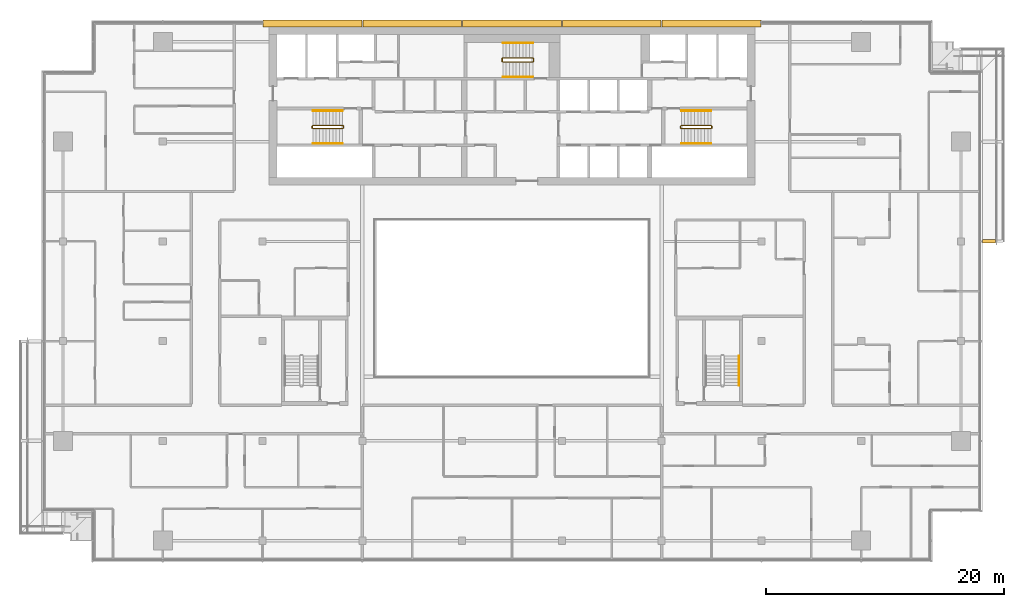
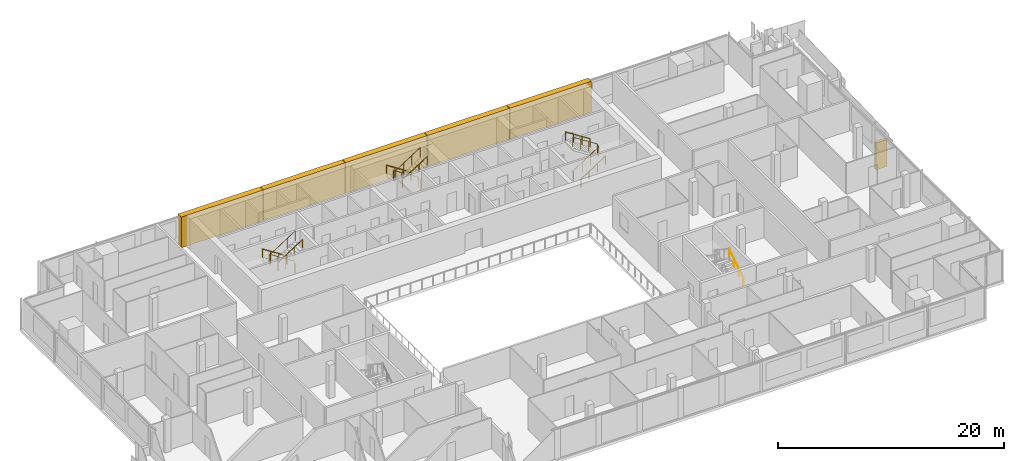
# One storey, part 27 of 30: 10 railings, 6 coverings.
"""IFC4 building model written with IfcOpenShell, lengths in metres."""

from ifc_helpers import new_model, si_unit, direction, frame, origin, origin_2d, place, context, subcontext, project, spatial, polyline, rectangle, circle, outline, extrude, material, layer, layer_set, type_object, element, save


model = new_model("IFC4")

# Units and contexts
model_context = context("Model", 3, precision=1e-05, world=origin(), true_north=direction((0.0, 1.0)))
body_context = subcontext(model_context, "Body", "Model", "MODEL_VIEW")
ifc_project = project(units=[si_unit("LENGTHUNIT", "METRE"), si_unit("AREAUNIT", "SQUARE_METRE"), si_unit("VOLUMEUNIT", "CUBIC_METRE"), si_unit("PLANEANGLEUNIT", "RADIAN"), si_unit("MASSUNIT", "GRAM", prefix="KILO")], contexts=[model_context])

# Site, building, storey
site_placement = place(None, origin())
site = spatial("IfcSite", under=ifc_project, at=site_placement, CompositionType="ELEMENT")
building_placement = place(site_placement, origin())
building = spatial("IfcBuilding", under=site, at=building_placement, Name="Saffron Gate Tower", CompositionType="ELEMENT")
storey_placement = place(building_placement, frame((0.0, 0.0, 245.10009765625)))
storey = spatial("IfcBuildingStorey", under=building, at=storey_placement, Name="L60", CompositionType="ELEMENT", Elevation=245.10009765625)

# Coverings
ifc_material_1 = material(Name="Ceramic-printed bronze insulated panel")
ifc_layer_1 = layer(ifc_material_1, 0.590087890625)
ifc_layer_set_1 = layer_set([ifc_layer_1], Name="CLD4 ceramic-printed cladding panel 590")
covering_type_1 = type_object("IfcCoveringType", Name="CLD4 ceramic-printed cladding panel 590", PredefinedType="CLADDING", material=ifc_layer_set_1)
covering_1_placement = place(storey_placement, origin())
element("IfcCovering", 1, at=covering_1_placement, inside=storey, type_object=covering_type_1, Name="CLADDING ceramic-printed panel", PredefinedType="CLADDING", context=body_context, shape_type="SweptSolid", body=[
    extrude(outline(polyline([(108.56494140625, 75.639892578125), (100.235107421875, 75.639892578125), (100.235107421875, 75.050048828125), (108.56494140625, 75.050048828125), (108.56494140625, 75.639892578125)])), origin(), (0.0, 0.0, 1.0), 3.31982421875),
])
covering_2_placement = place(storey_placement, origin())
element("IfcCovering", 2, at=covering_2_placement, inside=storey, type_object=covering_type_1, Name="CLADDING ceramic-printed panel", PredefinedType="CLADDING", context=body_context, shape_type="SweptSolid", body=[
    extrude(outline(polyline([(100.1650390625, 75.639892578125), (91.8349609375, 75.639892578125), (91.8349609375, 75.050048828125), (100.1650390625, 75.050048828125), (100.1650390625, 75.639892578125)])), origin(), (0.0, 0.0, 1.0), 3.31982421875),
])
covering_3_placement = place(storey_placement, origin())
element("IfcCovering", 3, at=covering_3_placement, inside=storey, type_object=covering_type_1, Name="CLADDING ceramic-printed panel", PredefinedType="CLADDING", context=body_context, shape_type="SweptSolid", body=[
    extrude(outline(polyline([(91.764892578125, 75.639892578125), (83.43505859375, 75.639892578125), (83.43505859375, 75.050048828125), (91.764892578125, 75.050048828125), (91.764892578125, 75.639892578125)])), origin(), (0.0, 0.0, 1.0), 3.31982421875),
])
covering_4_placement = place(storey_placement, origin())
element("IfcCovering", 4, at=covering_4_placement, inside=storey, type_object=covering_type_1, Name="CLADDING ceramic-printed panel", PredefinedType="CLADDING", context=body_context, shape_type="SweptSolid", body=[
    extrude(outline(polyline([(83.364990234375, 75.639892578125), (75.034912109375, 75.639892578125), (75.034912109375, 75.050048828125), (83.364990234375, 75.050048828125), (83.364990234375, 75.639892578125)])), origin(), (0.0, 0.0, 1.0), 3.31982421875),
])
covering_5_placement = place(storey_placement, origin())
element("IfcCovering", 5, at=covering_5_placement, inside=storey, type_object=covering_type_1, Name="CLADDING ceramic-printed panel", PredefinedType="CLADDING", context=body_context, shape_type="SweptSolid", body=[
    extrude(outline(polyline([(74.965087890625, 75.639892578125), (66.635009765625, 75.639892578125), (66.635009765625, 75.050048828125), (74.965087890625, 75.050048828125), (74.965087890625, 75.639892578125)])), origin(), (0.0, 0.0, 1.0), 3.31982421875),
])

# Railings
ifc_material_2 = material(Name="Stainless steel and laminated glass", Category="steel")
railing_type_1 = type_object("IfcRailingType", Name="CR1 Stair guard 1100", PredefinedType="GUARDRAIL", material=ifc_material_2)
railing_1_placement = place(storey_placement, frame((73.39990234375, 66.550048828125, 0.0)))
element("IfcRailing", 6, at=railing_1_placement, inside=storey, type_object=railing_type_1, Name="L60 ST-A stair guard 1", PredefinedType="GUARDRAIL", context=body_context, shape_type="SweptSolid", body=[
    extrude(circle(Radius=0.02392578125, at=origin_2d()), frame((0.0, 0.0, 1.076171875), z_axis=(0.0, 1.0, 0.0), x_axis=(-1.0, 0.0, 0.0)), (0.0, 0.0, 1.0), 0.14990234375),
    extrude(circle(Radius=0.02392578125, at=origin_2d()), frame((0.0, 0.14990234375, 1.076171875), z_axis=(-0.257669022063, 0.258932105505, 0.930892496375), x_axis=(-0.708833529934, -0.705375805398, 0.0)), (0.0, 0.0, 1.0), 0.193359375),
    extrude(circle(Radius=0.02392578125, at=origin_2d()), frame((-0.0498046875, 0.199951171875, 1.255859375), z_axis=(-0.841199657755, 0.0, 0.540724639528), x_axis=(0.0, -1.0, 0.0)), (0.0, 0.0, 1.0), 2.995849609375),
    extrude(circle(Radius=0.02392578125, at=origin_2d()), frame((-2.56982421875, 0.199951171875, 2.8759765625), z_axis=(-0.707106781187, -0.707106781187, 0.0), x_axis=(0.707106781187, -0.707106781187, 0.0)), (0.0, 0.0, 1.0), 0.07080078125),
    extrude(circle(Radius=0.02392578125, at=origin_2d()), frame((-2.619873046875, 0.14990234375, 2.8759765625), z_axis=(0.0, -1.0, 0.0), x_axis=(1.0, 0.0, 0.0)), (0.0, 0.0, 1.0), 0.14990234375),
    extrude(circle(Radius=0.02392578125, at=origin_2d()), frame((-2.619873046875, 0.0, 2.8759765625), z_axis=(0.258543844998, -0.258543844998, 0.930757841991), x_axis=(0.707106781187, 0.707106781187, 0.0)), (0.0, 0.0, 1.0), 0.193603515625),
    extrude(circle(Radius=0.02392578125, at=origin_2d()), frame((-2.56982421875, -0.050048828125, 3.05615234375), z_axis=(0.841199657755, 0.0, 0.540724639528), x_axis=(0.0, 1.0, 0.0)), (0.0, 0.0, 1.0), 2.995849609375),
    extrude(circle(Radius=0.02099609375, at=origin_2d()), origin(), (0.0, 0.0, 1.0), 1.052001953125),
    extrude(circle(Radius=0.02099609375, at=origin_2d()), frame((0.0, 0.14990234375, 0.0)), (0.0, 0.0, 1.0), 1.052001953125),
    extrude(circle(Radius=0.02099609375, at=origin_2d()), frame((-0.0498046875, 0.199951171875, 0.179931640625)), (0.0, 0.0, 1.0), 1.052001953125),
    extrude(circle(Radius=0.02099609375, at=origin_2d()), frame((-0.889892578125, 0.199951171875, 0.719970703125)), (0.0, 0.0, 1.0), 1.052001953125),
    extrude(circle(Radius=0.02099609375, at=origin_2d()), frame((-1.729736328125, 0.199951171875, 1.259765625)), (0.0, 0.0, 1.0), 1.052001953125),
    extrude(circle(Radius=0.02099609375, at=origin_2d()), frame((-2.56982421875, 0.199951171875, 1.7998046875)), (0.0, 0.0, 1.0), 1.052001953125),
    extrude(circle(Radius=0.02099609375, at=origin_2d()), frame((-2.619873046875, 0.14990234375, 1.7998046875)), (0.0, 0.0, 1.0), 1.052001953125),
    extrude(circle(Radius=0.02099609375, at=origin_2d()), frame((-2.619873046875, 0.0, 1.7998046875)), (0.0, 0.0, 1.0), 1.052001953125),
    extrude(circle(Radius=0.02099609375, at=origin_2d()), frame((-2.56982421875, -0.050048828125, 1.97998046875)), (0.0, 0.0, 1.0), 1.052001953125),
    extrude(circle(Radius=0.02099609375, at=origin_2d()), frame((-1.729736328125, -0.050048828125, 2.52001953125)), (0.0, 0.0, 1.0), 1.052001953125),
    extrude(circle(Radius=0.02099609375, at=origin_2d()), frame((-0.889892578125, -0.050048828125, 3.059814453125)), (0.0, 0.0, 1.0), 1.052001953125),
    extrude(circle(Radius=0.02099609375, at=origin_2d()), frame((-0.0498046875, -0.050048828125, 3.599853515625)), (0.0, 0.0, 1.0), 1.052001953125),
])
railing_2_placement = place(storey_placement, frame((101.800048828125, 66.699951171875, 0.0)))
element("IfcRailing", 7, at=railing_2_placement, inside=storey, type_object=railing_type_1, Name="L60 ST-B stair guard 1", PredefinedType="GUARDRAIL", context=body_context, shape_type="SweptSolid", body=[
    extrude(circle(Radius=0.02392578125, at=origin_2d()), frame((0.0, 0.0, 1.076171875), z_axis=(0.0, -1.0, 0.0), x_axis=(1.0, 0.0, 0.0)), (0.0, 0.0, 1.0), 0.14990234375),
    extrude(circle(Radius=0.02392578125, at=origin_2d()), frame((0.0, -0.14990234375, 1.076171875), z_axis=(0.258847668887, -0.258847668887, 0.930588936439), x_axis=(0.707106781187, 0.707106781187, 0.0)), (0.0, 0.0, 1.0), 0.193359375),
    extrude(circle(Radius=0.02392578125, at=origin_2d()), frame((0.050048828125, -0.199951171875, 1.255859375), z_axis=(0.841199657755, 0.0, 0.540724639528), x_axis=(0.0, 1.0, 0.0)), (0.0, 0.0, 1.0), 2.995849609375),
    extrude(circle(Radius=0.02392578125, at=origin_2d()), frame((2.570068359375, -0.199951171875, 2.8759765625), z_axis=(0.705375805398, 0.708833529934, 0.0), x_axis=(-0.708833529934, 0.705375805398, 0.0)), (0.0, 0.0, 1.0), 0.070556640625),
    extrude(circle(Radius=0.02392578125, at=origin_2d()), frame((2.619873046875, -0.14990234375, 2.8759765625), z_axis=(0.0, 1.0, 0.0), x_axis=(-1.0, 0.0, 0.0)), (0.0, 0.0, 1.0), 0.14990234375),
    extrude(circle(Radius=0.02392578125, at=origin_2d()), frame((2.619873046875, 0.0, 2.8759765625), z_axis=(-0.257366384619, 0.258627984543, 0.931060744355), x_axis=(-0.708833529934, -0.705375805398, 0.0)), (0.0, 0.0, 1.0), 0.193603515625),
    extrude(circle(Radius=0.02392578125, at=origin_2d()), frame((2.570068359375, 0.050048828125, 3.05615234375), z_axis=(-0.841199657755, 0.0, 0.540724639528), x_axis=(0.0, -1.0, 0.0)), (0.0, 0.0, 1.0), 2.995849609375),
    extrude(circle(Radius=0.02099609375, at=origin_2d()), origin(), (0.0, 0.0, 1.0), 1.052001953125),
    extrude(circle(Radius=0.02099609375, at=origin_2d()), frame((0.0, -0.14990234375, 0.0)), (0.0, 0.0, 1.0), 1.052001953125),
    extrude(circle(Radius=0.02099609375, at=origin_2d()), frame((0.050048828125, -0.199951171875, 0.179931640625)), (0.0, 0.0, 1.0), 1.052001953125),
    extrude(circle(Radius=0.02099609375, at=origin_2d()), frame((0.89013671875, -0.199951171875, 0.719970703125)), (0.0, 0.0, 1.0), 1.052001953125),
    extrude(circle(Radius=0.02099609375, at=origin_2d()), frame((1.72998046875, -0.199951171875, 1.259765625)), (0.0, 0.0, 1.0), 1.052001953125),
    extrude(circle(Radius=0.02099609375, at=origin_2d()), frame((2.570068359375, -0.199951171875, 1.7998046875)), (0.0, 0.0, 1.0), 1.052001953125),
    extrude(circle(Radius=0.02099609375, at=origin_2d()), frame((2.619873046875, -0.14990234375, 1.7998046875)), (0.0, 0.0, 1.0), 1.052001953125),
    extrude(circle(Radius=0.02099609375, at=origin_2d()), frame((2.619873046875, 0.0, 1.7998046875)), (0.0, 0.0, 1.0), 1.052001953125),
    extrude(circle(Radius=0.02099609375, at=origin_2d()), frame((2.570068359375, 0.050048828125, 1.97998046875)), (0.0, 0.0, 1.0), 1.052001953125),
    extrude(circle(Radius=0.02099609375, at=origin_2d()), frame((1.72998046875, 0.050048828125, 2.52001953125)), (0.0, 0.0, 1.0), 1.052001953125),
    extrude(circle(Radius=0.02099609375, at=origin_2d()), frame((0.89013671875, 0.050048828125, 3.059814453125)), (0.0, 0.0, 1.0), 1.052001953125),
    extrude(circle(Radius=0.02099609375, at=origin_2d()), frame((0.050048828125, 0.050048828125, 3.599853515625)), (0.0, 0.0, 1.0), 1.052001953125),
])
railing_3_placement = place(storey_placement, frame((89.39990234375, 72.14990234375, 0.0)))
element("IfcRailing", 8, at=railing_3_placement, inside=storey, type_object=railing_type_1, Name="L60 ST-C stair guard 1", PredefinedType="GUARDRAIL", context=body_context, shape_type="SweptSolid", body=[
    extrude(circle(Radius=0.02392578125, at=origin_2d()), frame((0.0, 0.0, 1.076171875), z_axis=(0.0, 1.0, 0.0), x_axis=(-1.0, 0.0, 0.0)), (0.0, 0.0, 1.0), 0.25),
    extrude(circle(Radius=0.02392578125, at=origin_2d()), frame((0.0, 0.25, 1.076171875), z_axis=(-0.257669022063, 0.258932105505, 0.930892496375), x_axis=(-0.708833529934, -0.705375805398, 0.0)), (0.0, 0.0, 1.0), 0.193359375),
    extrude(circle(Radius=0.02392578125, at=origin_2d()), frame((-0.0498046875, 0.300048828125, 1.255859375), z_axis=(-0.841199657755, 0.0, 0.540724639528), x_axis=(0.0, -1.0, 0.0)), (0.0, 0.0, 1.0), 2.995849609375),
    extrude(circle(Radius=0.02392578125, at=origin_2d()), frame((-2.56982421875, 0.300048828125, 2.8759765625), z_axis=(-0.707106781187, -0.707106781187, 0.0), x_axis=(0.707106781187, -0.707106781187, 0.0)), (0.0, 0.0, 1.0), 0.07080078125),
    extrude(circle(Radius=0.02392578125, at=origin_2d()), frame((-2.619873046875, 0.25, 2.8759765625), z_axis=(0.0, -1.0, 0.0), x_axis=(1.0, 0.0, 0.0)), (0.0, 0.0, 1.0), 0.25),
    extrude(circle(Radius=0.02392578125, at=origin_2d()), frame((-2.619873046875, 0.0, 2.8759765625), z_axis=(0.258627984543, -0.257366384619, 0.931060744355), x_axis=(0.705375805398, 0.708833529934, 0.0)), (0.0, 0.0, 1.0), 0.193603515625),
    extrude(circle(Radius=0.02392578125, at=origin_2d()), frame((-2.56982421875, -0.0498046875, 3.05615234375), z_axis=(0.841199657755, 0.0, 0.540724639528), x_axis=(0.0, 1.0, 0.0)), (0.0, 0.0, 1.0), 2.995849609375),
    extrude(circle(Radius=0.02099609375, at=origin_2d()), origin(), (0.0, 0.0, 1.0), 1.052001953125),
    extrude(circle(Radius=0.02099609375, at=origin_2d()), frame((0.0, 0.25, 0.0)), (0.0, 0.0, 1.0), 1.052001953125),
    extrude(circle(Radius=0.02099609375, at=origin_2d()), frame((-0.0498046875, 0.300048828125, 0.179931640625)), (0.0, 0.0, 1.0), 1.052001953125),
    extrude(circle(Radius=0.02099609375, at=origin_2d()), frame((-0.889892578125, 0.300048828125, 0.719970703125)), (0.0, 0.0, 1.0), 1.052001953125),
    extrude(circle(Radius=0.02099609375, at=origin_2d()), frame((-1.729736328125, 0.300048828125, 1.259765625)), (0.0, 0.0, 1.0), 1.052001953125),
    extrude(circle(Radius=0.02099609375, at=origin_2d()), frame((-2.56982421875, 0.300048828125, 1.7998046875)), (0.0, 0.0, 1.0), 1.052001953125),
    extrude(circle(Radius=0.02099609375, at=origin_2d()), frame((-2.619873046875, 0.25, 1.7998046875)), (0.0, 0.0, 1.0), 1.052001953125),
    extrude(circle(Radius=0.02099609375, at=origin_2d()), frame((-2.619873046875, 0.0, 1.7998046875)), (0.0, 0.0, 1.0), 1.052001953125),
    extrude(circle(Radius=0.02099609375, at=origin_2d()), frame((-2.56982421875, -0.0498046875, 1.97998046875)), (0.0, 0.0, 1.0), 1.052001953125),
    extrude(circle(Radius=0.02099609375, at=origin_2d()), frame((-1.729736328125, -0.0498046875, 2.52001953125)), (0.0, 0.0, 1.0), 1.052001953125),
    extrude(circle(Radius=0.02099609375, at=origin_2d()), frame((-0.889892578125, -0.0498046875, 3.059814453125)), (0.0, 0.0, 1.0), 1.052001953125),
    extrude(circle(Radius=0.02099609375, at=origin_2d()), frame((-0.0498046875, -0.0498046875, 3.599853515625)), (0.0, 0.0, 1.0), 1.052001953125),
])
ifc_material_3 = material(Name="Stainless steel", Category="steel")
railing_type_2 = type_object("IfcRailingType", Name="CR2 Stair handrail 900", PredefinedType="HANDRAIL", material=ifc_material_3)
railing_4_placement = place(storey_placement, frame((73.35009765625, 68.0, 0.179931640625)))
element("IfcRailing", 9, at=railing_4_placement, inside=storey, type_object=railing_type_2, Name="L60 ST-A stair handrail 1", PredefinedType="HANDRAIL", context=body_context, shape_type="SweptSolid", body=[
    extrude(circle(Radius=0.02392578125, at=origin_2d()), frame((0.0, 0.0, 0.8759765625), z_axis=(-0.841199657755, 0.0, 0.540724639528), x_axis=(0.0, -1.0, 0.0)), (0.0, 0.0, 1.0), 2.995849609375),
    extrude(circle(Radius=0.02099609375, at=origin_2d()), origin(), (0.0, 0.0, 1.0), 0.851806640625),
    extrude(circle(Radius=0.02099609375, at=origin_2d()), frame((-0.840087890625, 0.0, 0.5400390625)), (0.0, 0.0, 1.0), 0.851806640625),
    extrude(circle(Radius=0.02099609375, at=origin_2d()), frame((-1.679931640625, 0.0, 1.079833984375)), (0.0, 0.0, 1.0), 0.851806640625),
    extrude(circle(Radius=0.02099609375, at=origin_2d()), frame((-2.52001953125, 0.0, 1.619873046875)), (0.0, 0.0, 1.0), 0.851806640625),
])
for number, where, name in (
    (10, (70.830078125, 65.25, 1.97998046875), "L60 ST-A stair handrail 2"),
    (11, (101.85009765625, 65.25, 0.179931640625), "L60 ST-B stair handrail 1"),
):
    element("IfcRailing", number, at=place(storey_placement, frame(where)), inside=storey, type_object=railing_type_2, Name=name, PredefinedType="HANDRAIL", context=body_context, shape_type="SweptSolid", body=[
        extrude(circle(Radius=0.02392578125, at=origin_2d()), frame((0.0, 0.0, 0.8759765625), z_axis=(0.841199657755, 0.0, 0.540724639528), x_axis=(0.0, 1.0, 0.0)), (0.0, 0.0, 1.0), 2.995849609375),
        extrude(circle(Radius=0.02099609375, at=origin_2d()), origin(), (0.0, 0.0, 1.0), 0.851806640625),
        extrude(circle(Radius=0.02099609375, at=origin_2d()), frame((0.840087890625, 0.0, 0.5400390625)), (0.0, 0.0, 1.0), 0.851806640625),
        extrude(circle(Radius=0.02099609375, at=origin_2d()), frame((1.679931640625, 0.0, 1.079833984375)), (0.0, 0.0, 1.0), 0.851806640625),
        extrude(circle(Radius=0.02099609375, at=origin_2d()), frame((2.52001953125, 0.0, 1.619873046875)), (0.0, 0.0, 1.0), 0.851806640625),
    ])
for number, where, name in (
    (12, (104.3701171875, 68.0, 1.97998046875), "L60 ST-B stair handrail 2"),
    (13, (89.35009765625, 73.699951171875, 0.179931640625), "L60 ST-C stair handrail 1"),
):
    element("IfcRailing", number, at=place(storey_placement, frame(where)), inside=storey, type_object=railing_type_2, Name=name, PredefinedType="HANDRAIL", context=body_context, shape_type="SweptSolid", body=[
        extrude(circle(Radius=0.02392578125, at=origin_2d()), frame((0.0, 0.0, 0.8759765625), z_axis=(-0.841199657755, 0.0, 0.540724639528), x_axis=(0.0, -1.0, 0.0)), (0.0, 0.0, 1.0), 2.995849609375),
        extrude(circle(Radius=0.02099609375, at=origin_2d()), origin(), (0.0, 0.0, 1.0), 0.851806640625),
        extrude(circle(Radius=0.02099609375, at=origin_2d()), frame((-0.840087890625, 0.0, 0.5400390625)), (0.0, 0.0, 1.0), 0.851806640625),
        extrude(circle(Radius=0.02099609375, at=origin_2d()), frame((-1.679931640625, 0.0, 1.079833984375)), (0.0, 0.0, 1.0), 0.851806640625),
        extrude(circle(Radius=0.02099609375, at=origin_2d()), frame((-2.52001953125, 0.0, 1.619873046875)), (0.0, 0.0, 1.0), 0.851806640625),
    ])
railing_5_placement = place(storey_placement, frame((86.830078125, 70.85009765625, 1.97998046875)))
element("IfcRailing", 14, at=railing_5_placement, inside=storey, type_object=railing_type_2, Name="L60 ST-C stair handrail 2", PredefinedType="HANDRAIL", context=body_context, shape_type="SweptSolid", body=[
    extrude(circle(Radius=0.02392578125, at=origin_2d()), frame((0.0, 0.0, 0.8759765625), z_axis=(0.841199657755, 0.0, 0.540724639528), x_axis=(0.0, 1.0, 0.0)), (0.0, 0.0, 1.0), 2.995849609375),
    extrude(circle(Radius=0.02099609375, at=origin_2d()), origin(), (0.0, 0.0, 1.0), 0.851806640625),
    extrude(circle(Radius=0.02099609375, at=origin_2d()), frame((0.840087890625, 0.0, 0.5400390625)), (0.0, 0.0, 1.0), 0.851806640625),
    extrude(circle(Radius=0.02099609375, at=origin_2d()), frame((1.679931640625, 0.0, 1.079833984375)), (0.0, 0.0, 1.0), 0.851806640625),
    extrude(circle(Radius=0.02099609375, at=origin_2d()), frame((2.52001953125, 0.0, 1.619873046875)), (0.0, 0.0, 1.0), 0.851806640625),
])
railing_6_placement = place(storey_placement, frame((106.699951171875, 44.85009765625, 0.179931640625)))
element("IfcRailing", 15, at=railing_6_placement, inside=storey, type_object=railing_type_2, Name="L60 ST-E stair handrail 1", PredefinedType="HANDRAIL", context=body_context, shape_type="SweptSolid", body=[
    extrude(circle(Radius=0.02392578125, at=origin_2d()), frame((0.0, 0.0, 0.8759765625), z_axis=(0.0, 0.841199657755, 0.540724639528), x_axis=(-1.0, 0.0, 0.0)), (0.0, 0.0, 1.0), 2.995849609375),
    extrude(circle(Radius=0.02099609375, at=origin_2d()), origin(), (0.0, 0.0, 1.0), 0.851806640625),
    extrude(circle(Radius=0.02099609375, at=origin_2d()), frame((0.0, 0.840087890625, 0.5400390625)), (0.0, 0.0, 1.0), 0.851806640625),
    extrude(circle(Radius=0.02099609375, at=origin_2d()), frame((0.0, 1.679931640625, 1.079833984375)), (0.0, 0.0, 1.0), 0.851806640625),
    extrude(circle(Radius=0.02099609375, at=origin_2d()), frame((0.0, 2.52001953125, 1.619873046875)), (0.0, 0.0, 1.0), 0.851806640625),
])

# Covering
ifc_material_4 = material(Name="Timber, thermally modified ash", Category="wood")
ifc_layer_2 = layer(ifc_material_4, 0.300048828125)
ifc_layer_set_2 = layer_set([ifc_layer_2], Name="LD3 ledge riser fin")
covering_type_2 = type_object("IfcCoveringType", Name="LD3 ledge riser fin", PredefinedType="CLADDING", material=ifc_layer_set_2)
covering_6_placement = place(storey_placement, frame((127.760009765625, 57.0, -1.75732421875), z_axis=(0.0, 0.0, 1.0), x_axis=(0.0, 1.0, 0.0)))
element("IfcCovering", 16, at=covering_6_placement, inside=storey, type_object=covering_type_2, Name="LEDGE riser fin", PredefinedType="CLADDING", context=body_context, shape_type="SweptSolid", body=[
    extrude(rectangle(XDim=0.300048828125, YDim=1.1201171875, at=origin_2d()), origin(), (0.0, 0.0, 1.0), 2.900390625),
])

save(model, "model.ifc")
